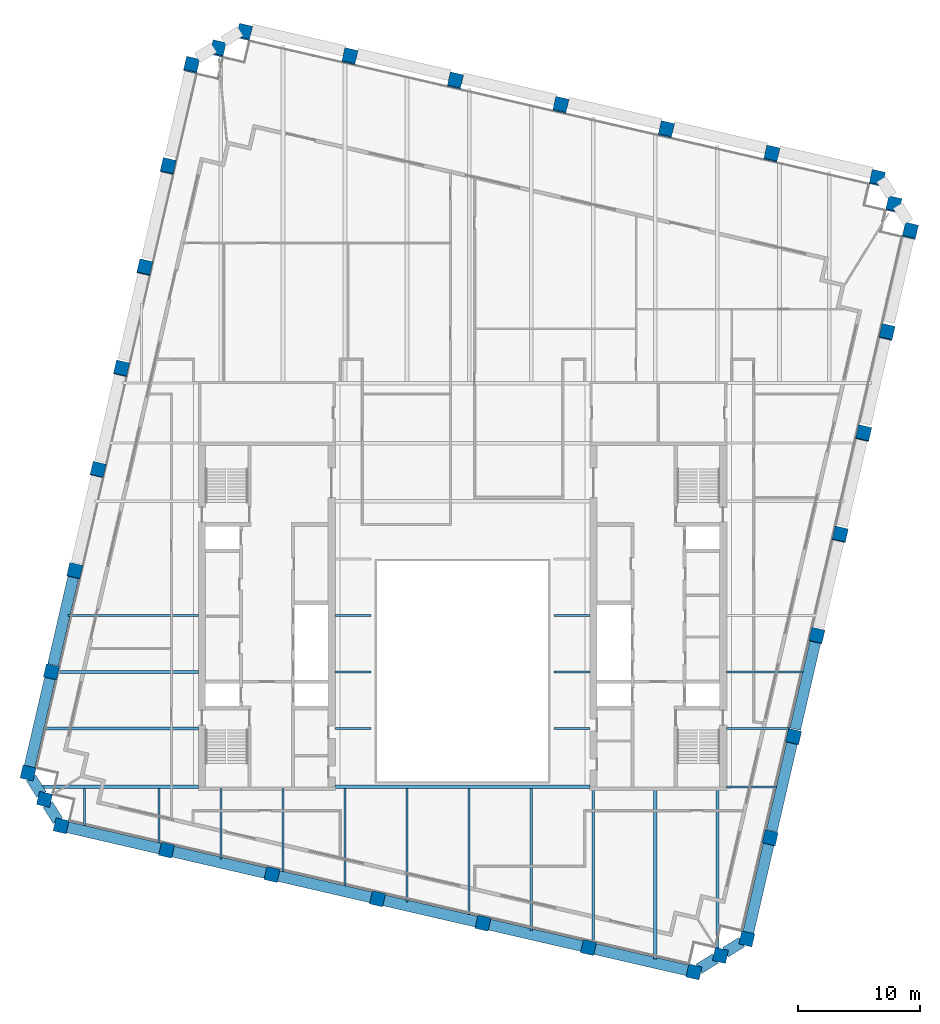
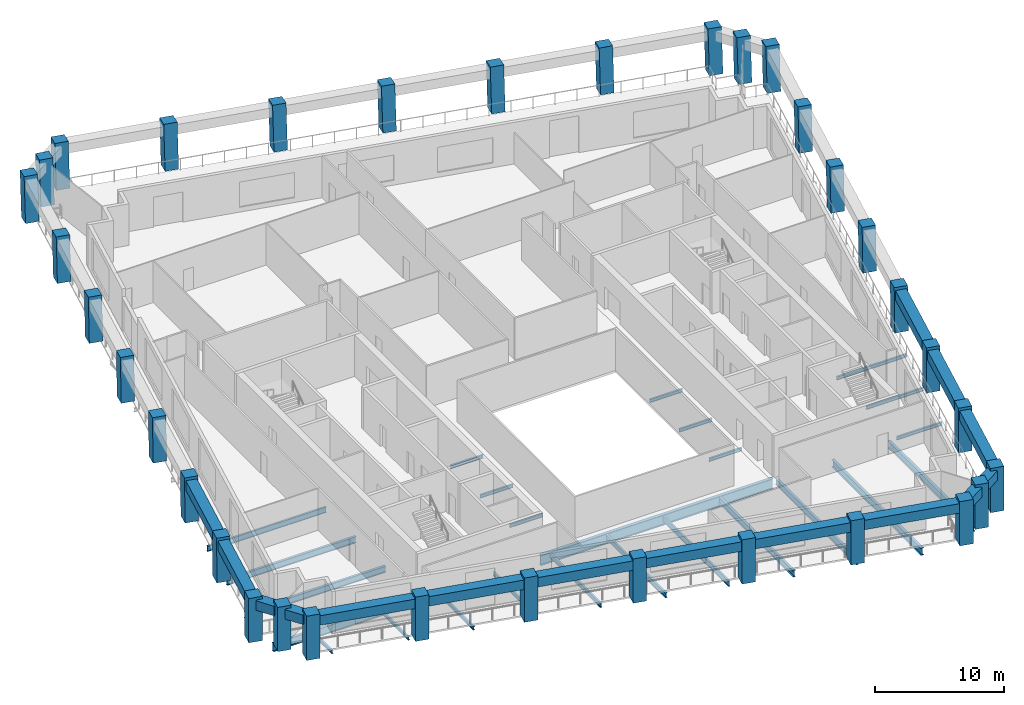
# One storey, part 1 of 10: 40 beams, 34 columns.
"""IFC4 building model written with IfcOpenShell, lengths in metres."""

from ifc_helpers import new_model, si_unit, direction, frame, origin, origin_2d, place, context, subcontext, project, spatial, rectangle, i_section, extrude, material, material_profile, profile_set, type_object, element, save


model = new_model("IFC4")

# Units and contexts
model_context = context("Model", 3, precision=1e-05, world=origin(), true_north=direction((0.0, 1.0)))
body_context = subcontext(model_context, "Body", "Model", "MODEL_VIEW")
ifc_project = project(units=[si_unit("LENGTHUNIT", "METRE"), si_unit("AREAUNIT", "SQUARE_METRE"), si_unit("VOLUMEUNIT", "CUBIC_METRE"), si_unit("PLANEANGLEUNIT", "RADIAN"), si_unit("MASSUNIT", "GRAM", prefix="KILO")], contexts=[model_context])

# Site, building, storey
site_placement = place(None, origin())
site = spatial("IfcSite", under=ifc_project, at=site_placement, CompositionType="ELEMENT")
building_placement = place(site_placement, origin())
building = spatial("IfcBuilding", under=site, at=building_placement, Name="Ogive Exchange Tower", CompositionType="ELEMENT")
storey_placement = place(building_placement, frame((0.0, 0.0, 289.199951171875)))
storey = spatial("IfcBuildingStorey", under=building, at=storey_placement, Name="L63", CompositionType="ELEMENT", Elevation=289.199951171875)

# Columns
ifc_material_1 = material(Name="Precast concrete C70/85 (limestone faced)", Category="masonry")
ifc_material_profile_1 = material_profile(ifc_material_1, rectangle(XDim=1.10009765625, YDim=1.10009765625, at=origin_2d()), Name="1100 x 1100")
ifc_profile_set_1 = profile_set([ifc_material_profile_1], Name="Precast concrete C70/85 (limestone faced)")
column_type = type_object("IfcColumnType", Name="Precast exoskeleton leg 1100 x 1100 C70/85", PredefinedType="COLUMN", material=ifc_profile_set_1)
for number, where, z_axis, x_axis, name in (
    (1, (-32.820556640625, -5.635498046875, 0.0), (0.0, 0.0, 1.0), (0.974370064785, -0.224951054344, 0.0), "Exoskeleton leg 1"),
    (2, (-24.197265625, -7.62646484375, 0.0), (0.0, 0.0, 1.0), (0.974370064785, -0.224951054344, 0.0), "Exoskeleton leg 2"),
    (3, (-15.57421875, -9.6171875, 0.0), (0.0, 0.0, 1.0), (0.974370064785, -0.224951054344, 0.0), "Exoskeleton leg 3"),
    (4, (-6.950927734375, -11.60791015625, 0.0), (0.0, 0.0, 1.0), (0.974370064785, -0.224951054344, 0.0), "Exoskeleton leg 4"),
    (5, (1.672119140625, -13.598876953125, 0.0), (0.0, 0.0, 1.0), (0.974370064785, -0.224951054344, 0.0), "Exoskeleton leg 5"),
    (6, (10.29541015625, -15.589599609375, 0.0), (0.0, 0.0, 1.0), (0.974370064785, -0.224951054344, 0.0), "Exoskeleton leg 6"),
    (7, (18.91845703125, -17.58056640625, 0.0), (0.0, 0.0, 1.0), (0.974370064785, -0.224951054344, 0.0), "Exoskeleton leg 7"),
    (8, (23.236083984375, -14.882568359375, 0.0), (0.0, 0.0, 1.0), (0.974370064785, -0.224951054344, 0.0), "Exoskeleton leg 8"),
):
    element("IfcColumn", number, at=place(storey_placement, frame(where, z_axis=z_axis, x_axis=x_axis)), inside=storey, type_object=column_type, Name=name, PredefinedType="COLUMN", context=body_context, shape_type="SweptSolid", body=[
        extrude(rectangle(XDim=1.10009765625, YDim=1.10009765625, at=origin_2d()), origin(), (0.0, 0.0, 1.0), 4.199951171875),
    ])
column_1_placement = place(storey_placement, frame((25.143310546875, -6.621826171875, 0.0), z_axis=(0.002906226325, 0.012613022249, 0.99991622925), x_axis=(-0.974466825284, 0.224531526563, 0.0)))
element("IfcColumn", 9, at=column_1_placement, inside=storey, type_object=column_type, Name="Exoskeleton leg 9", PredefinedType="COLUMN", context=body_context, shape_type="SweptSolid", body=[
    extrude(rectangle(XDim=1.10009765625, YDim=1.10009765625, at=origin_2d()), origin(), (0.0, 0.0, 1.0), 4.2001953125),
])
column_2_placement = place(storey_placement, frame((27.05029296875, 1.638671875, 0.0), z_axis=(0.005869083212, 0.025335844359, 0.999661767226), x_axis=(-0.974202561131, 0.225675363932, 0.0)))
element("IfcColumn", 10, at=column_2_placement, inside=storey, type_object=column_type, Name="Exoskeleton leg 10", PredefinedType="COLUMN", context=body_context, shape_type="SweptSolid", body=[
    extrude(rectangle(XDim=1.10009765625, YDim=1.10009765625, at=origin_2d()), origin(), (0.0, 0.0, 1.0), 4.201416015625),
])
column_3_placement = place(storey_placement, frame((28.95751953125, 9.8994140625, 0.0), z_axis=(0.008770884695, 0.037929719907, 0.99924191662), x_axis=(-0.974290512438, 0.225295355862, 0.0)))
element("IfcColumn", 11, at=column_3_placement, inside=storey, type_object=column_type, Name="Exoskeleton leg 11", PredefinedType="COLUMN", context=body_context, shape_type="SweptSolid", body=[
    extrude(rectangle(XDim=1.10009765625, YDim=1.10009765625, at=origin_2d()), origin(), (0.0, 0.0, 1.0), 4.203125),
])
column_4_placement = place(storey_placement, frame((30.864501953125, 18.159912109375, 0.0), z_axis=(0.011668267153, 0.050562490995, 0.998652735462), x_axis=(-0.974391195695, 0.224859506699, 0.0)))
element("IfcColumn", 12, at=column_4_placement, inside=storey, type_object=column_type, Name="Exoskeleton leg 12", PredefinedType="COLUMN", context=body_context, shape_type="SweptSolid", body=[
    extrude(rectangle(XDim=1.10009765625, YDim=1.10009765625, at=origin_2d()), origin(), (0.0, 0.0, 1.0), 4.20556640625),
])
column_5_placement = place(storey_placement, frame((32.771728515625, 26.420654296875, 0.0), z_axis=(0.014559841898, 0.063111984005, 0.997900239743), x_axis=(-0.97440628778, 0.224794097641, 0.0)))
element("IfcColumn", 13, at=column_5_placement, inside=storey, type_object=column_type, Name="Exoskeleton leg 13", PredefinedType="COLUMN", context=body_context, shape_type="SweptSolid", body=[
    extrude(rectangle(XDim=1.10009765625, YDim=1.10009765625, at=origin_2d()), origin(), (0.0, 0.0, 1.0), 4.208740234375),
])
column_6_placement = place(storey_placement, frame((34.6787109375, 34.68115234375, 0.0), z_axis=(0.017502025619, 0.075687567741, 0.996977969259), x_axis=(-0.974290512438, 0.225295355862, 0.0)))
element("IfcColumn", 14, at=column_6_placement, inside=storey, type_object=column_type, Name="Exoskeleton leg 14", PredefinedType="COLUMN", context=body_context, shape_type="SweptSolid", body=[
    extrude(rectangle(XDim=1.10009765625, YDim=1.10009765625, at=origin_2d()), origin(), (0.0, 0.0, 1.0), 4.212646484375),
])
for number, where, z_axis, x_axis, name in (
    (15, (36.5859375, 42.94189453125, 0.0), (0.020377493232, 0.0882252832, 0.995892091129), (-0.97434807649, 0.225046274885, 0.0), "Exoskeleton leg 15"),
    (16, (33.887939453125, 47.259521484375, 0.0), (0.020377597275, 0.088167842757, 0.995897175934), (-0.97431566651, 0.225186549318, 0.0), "Exoskeleton leg 16"),
    (17, (25.264892578125, 49.250244140625, 0.0), (0.020319626563, 0.088225387128, 0.995893264282), (-0.974488096918, 0.224439187676, 0.0), "Exoskeleton leg 17"),
    (18, (16.6416015625, 51.240966796875, 0.0), (0.020377493232, 0.0882252832, 0.995892091129), (-0.97434807649, 0.225046274885, 0.0), "Exoskeleton leg 18"),
    (19, (8.0185546875, 53.23193359375, 0.0), (0.020377493232, 0.0882252832, 0.995892091129), (-0.97434807649, 0.225046274885, 0.0), "Exoskeleton leg 19"),
    (20, (-0.604736328125, 55.22265625, 0.0), (0.020377493232, 0.0882252832, 0.995892091129), (-0.97434807649, 0.225046274885, 0.0), "Exoskeleton leg 20"),
    (21, (-9.227783203125, 57.21337890625, 0.0), (0.020319626563, 0.088225387128, 0.995893264282), (-0.974488096918, 0.224439187676, 0.0), "Exoskeleton leg 21"),
    (22, (-17.85107421875, 59.204345703125, 0.0), (0.020377493232, 0.0882252832, 0.995892091129), (-0.97434807649, 0.225046274885, 0.0), "Exoskeleton leg 22"),
    (23, (-22.168701171875, 56.50634765625, 0.0), (0.020377493232, 0.0882252832, 0.995892091129), (-0.97434807649, 0.225046274885, 0.0), "Exoskeleton leg 23"),
):
    element("IfcColumn", number, at=place(storey_placement, frame(where, z_axis=z_axis, x_axis=x_axis)), inside=storey, type_object=column_type, Name=name, PredefinedType="COLUMN", context=body_context, shape_type="SweptSolid", body=[
        extrude(rectangle(XDim=1.10009765625, YDim=1.10009765625, at=origin_2d()), origin(), (0.0, 0.0, 1.0), 4.21728515625),
    ])
column_7_placement = place(storey_placement, frame((-24.07568359375, 48.245849609375, 0.0), z_axis=(0.017444089556, 0.075687644385, 0.996978978829), x_axis=(-0.974454034257, 0.224587032398, 0.0)))
element("IfcColumn", 24, at=column_7_placement, inside=storey, type_object=column_type, Name="Exoskeleton leg 24", PredefinedType="COLUMN", context=body_context, shape_type="SweptSolid", body=[
    extrude(rectangle(XDim=1.10009765625, YDim=1.10009765625, at=origin_2d()), origin(), (0.0, 0.0, 1.0), 4.212646484375),
])
column_8_placement = place(storey_placement, frame((-25.98291015625, 39.985107421875, 0.0), z_axis=(0.014617783326, 0.063169706518, 0.99789574034), x_axis=(-0.974255315496, 0.225447511024, 0.0)))
element("IfcColumn", 25, at=column_8_placement, inside=storey, type_object=column_type, Name="Exoskeleton leg 25", PredefinedType="COLUMN", context=body_context, shape_type="SweptSolid", body=[
    extrude(rectangle(XDim=1.10009765625, YDim=1.10009765625, at=origin_2d()), origin(), (0.0, 0.0, 1.0), 4.208740234375),
])
column_9_placement = place(storey_placement, frame((-27.889892578125, 31.724609375, 0.0), z_axis=(0.011668301382, 0.050504588071, 0.998655665045), x_axis=(-0.974334539389, 0.225104876342, 0.0)))
element("IfcColumn", 26, at=column_9_placement, inside=storey, type_object=column_type, Name="Exoskeleton leg 26", PredefinedType="COLUMN", context=body_context, shape_type="SweptSolid", body=[
    extrude(rectangle(XDim=1.10009765625, YDim=1.10009765625, at=origin_2d()), origin(), (0.0, 0.0, 1.0), 4.20556640625),
])
column_10_placement = place(storey_placement, frame((-29.797119140625, 23.4638671875, 0.0), z_axis=(0.008770884695, 0.037929719907, 0.99924191662), x_axis=(-0.974290512438, 0.225295355862, 0.0)))
element("IfcColumn", 27, at=column_10_placement, inside=storey, type_object=column_type, Name="Exoskeleton leg 27", PredefinedType="COLUMN", context=body_context, shape_type="SweptSolid", body=[
    extrude(rectangle(XDim=1.10009765625, YDim=1.10009765625, at=origin_2d()), origin(), (0.0, 0.0, 1.0), 4.203125),
])
column_11_placement = place(storey_placement, frame((-31.7041015625, 15.203125, 0.0), z_axis=(0.005810975449, 0.025335852957, 0.999662106474), x_axis=(-0.974691740237, 0.22355315143, 0.0)))
element("IfcColumn", 28, at=column_11_placement, inside=storey, type_object=column_type, Name="Exoskeleton leg 28", PredefinedType="COLUMN", context=body_context, shape_type="SweptSolid", body=[
    extrude(rectangle(XDim=1.10009765625, YDim=1.10009765625, at=origin_2d()), origin(), (0.0, 0.0, 1.0), 4.201416015625),
])
column_12_placement = place(storey_placement, frame((-33.611328125, 6.942626953125, 0.0), z_axis=(0.002906224189, 0.012671137464, 0.999915494498), x_axis=(-0.974691740237, 0.22355315143, 0.0)))
element("IfcColumn", 29, at=column_12_placement, inside=storey, type_object=column_type, Name="Exoskeleton leg 29", PredefinedType="COLUMN", context=body_context, shape_type="SweptSolid", body=[
    extrude(rectangle(XDim=1.10009765625, YDim=1.10009765625, at=origin_2d()), origin(), (0.0, 0.0, 1.0), 4.2001953125),
])
for number, where, z_axis, x_axis, name in (
    (30, (-35.518310546875, -1.318115234375, 0.0), (0.0, 0.0, 1.0), (0.974370064785, -0.224951054344, 0.0), "Exoskeleton leg 30"),
    (31, (21.077392578125, -16.2314453125, 0.0), (0.0, 0.0, 1.0), (0.974370064785, -0.224951054344, 0.0), "Exoskeleton leg 31"),
):
    element("IfcColumn", number, at=place(storey_placement, frame(where, z_axis=z_axis, x_axis=x_axis)), inside=storey, type_object=column_type, Name=name, PredefinedType="COLUMN", context=body_context, shape_type="SweptSolid", body=[
        extrude(rectangle(XDim=1.10009765625, YDim=1.10009765625, at=origin_2d()), origin(), (0.0, 0.0, 1.0), 4.199951171875),
    ])
for number, where, z_axis, x_axis, name in (
    (32, (35.237060546875, 45.1005859375, 0.0), (0.020377493232, 0.0882252832, 0.995892091129), (-0.97434807649, 0.225046274885, 0.0), "Exoskeleton leg 32"),
    (33, (-20.009765625, 57.85546875, 0.0), (0.020377597275, 0.088167842757, 0.995897175934), (-0.97431566651, 0.225186549318, 0.0), "Exoskeleton leg 33"),
):
    element("IfcColumn", number, at=place(storey_placement, frame(where, z_axis=z_axis, x_axis=x_axis)), inside=storey, type_object=column_type, Name=name, PredefinedType="COLUMN", context=body_context, shape_type="SweptSolid", body=[
        extrude(rectangle(XDim=1.10009765625, YDim=1.10009765625, at=origin_2d()), origin(), (0.0, 0.0, 1.0), 4.21728515625),
    ])
column_13_placement = place(storey_placement, frame((-34.16943359375, -3.476806640625, 0.0), z_axis=(0.0, 0.0, 1.0), x_axis=(0.974370064785, -0.224951054344, 0.0)))
element("IfcColumn", 34, at=column_13_placement, inside=storey, type_object=column_type, Name="Exoskeleton leg 34", PredefinedType="COLUMN", context=body_context, shape_type="SweptSolid", body=[
    extrude(rectangle(XDim=1.10009765625, YDim=1.10009765625, at=origin_2d()), origin(), (0.0, 0.0, 1.0), 4.199951171875),
])

# Beams
ifc_material_2 = material(Name="Steel ASTM A992 Gr50", Category="steel")
ifc_material_profile_2 = material_profile(ifc_material_2, i_section(OverallWidth=0.1650390625, OverallDepth=0.31005859375, WebThickness=0.005859375, FlangeThickness=0.009765625, at=origin_2d()), Name="W310x38.7")
ifc_profile_set_2 = profile_set([ifc_material_profile_2], Name="Steel ASTM A992 Gr50")
beam_type_1 = type_object("IfcBeamType", Name="Floor beam W310x38.7", PredefinedType="JOIST", material=ifc_profile_set_2)
for number, where, z_axis, x_axis, name in (
    (35, (-10.419921875, 2.3212890625, -0.35498046875), (1.0, 0.0, 0.0), (0.0, 1.0, 0.0), "Floor beam"),
    (36, (7.469970703125, 2.3212890625, -0.35498046875), (1.0, 0.0, 0.0), (0.0, 1.0, 0.0), "Floor beam"),
):
    element("IfcBeam", number, at=place(storey_placement, frame(where, z_axis=z_axis, x_axis=x_axis)), inside=storey, type_object=beam_type_1, Name=name, PredefinedType="JOIST", context=body_context, shape_type="SweptSolid", body=[
        extrude(i_section(OverallWidth=0.1650390625, OverallDepth=0.31005859375, WebThickness=0.005859375, FlangeThickness=0.009765625, at=origin_2d()), origin(), (0.0, 0.0, 1.0), 2.949951171875),
    ])
beam_1_placement = place(storey_placement, frame((21.580078125, 2.3212890625, -0.35498046875), z_axis=(1.0, 0.0, 0.0), x_axis=(0.0, 1.0, 0.0)))
element("IfcBeam", 37, at=beam_1_placement, inside=storey, type_object=beam_type_1, Name="Floor beam", PredefinedType="JOIST", context=body_context, shape_type="SweptSolid", body=[
    extrude(i_section(OverallWidth=0.1650390625, OverallDepth=0.31005859375, WebThickness=0.005859375, FlangeThickness=0.009765625, at=origin_2d()), origin(), (0.0, 0.0, 1.0), 5.166015625),
])
for number, where, z_axis, x_axis, name in (
    (38, (-10.419921875, 6.9326171875, -0.35498046875), (1.0, 0.0, 0.0), (0.0, 1.0, 0.0), "Floor beam"),
    (39, (7.469970703125, 6.9326171875, -0.35498046875), (1.0, 0.0, 0.0), (0.0, 1.0, 0.0), "Floor beam"),
):
    element("IfcBeam", number, at=place(storey_placement, frame(where, z_axis=z_axis, x_axis=x_axis)), inside=storey, type_object=beam_type_1, Name=name, PredefinedType="JOIST", context=body_context, shape_type="SweptSolid", body=[
        extrude(i_section(OverallWidth=0.1650390625, OverallDepth=0.31005859375, WebThickness=0.005859375, FlangeThickness=0.009765625, at=origin_2d()), origin(), (0.0, 0.0, 1.0), 2.949951171875),
    ])
beam_2_placement = place(storey_placement, frame((21.580078125, 6.9326171875, -0.35498046875), z_axis=(1.0, 0.0, 0.0), x_axis=(0.0, 1.0, 0.0)))
element("IfcBeam", 40, at=beam_2_placement, inside=storey, type_object=beam_type_1, Name="Floor beam", PredefinedType="JOIST", context=body_context, shape_type="SweptSolid", body=[
    extrude(i_section(OverallWidth=0.1650390625, OverallDepth=0.31005859375, WebThickness=0.005859375, FlangeThickness=0.009765625, at=origin_2d()), origin(), (0.0, 0.0, 1.0), 6.230712890625),
])
for number, where, z_axis, x_axis, name in (
    (41, (-10.419921875, 11.543701171875, -0.35498046875), (1.0, 0.0, 0.0), (0.0, 1.0, 0.0), "Floor beam"),
    (42, (7.469970703125, 11.543701171875, -0.35498046875), (1.0, 0.0, 0.0), (0.0, 1.0, 0.0), "Floor beam"),
):
    element("IfcBeam", number, at=place(storey_placement, frame(where, z_axis=z_axis, x_axis=x_axis)), inside=storey, type_object=beam_type_1, Name=name, PredefinedType="JOIST", context=body_context, shape_type="SweptSolid", body=[
        extrude(i_section(OverallWidth=0.1650390625, OverallDepth=0.31005859375, WebThickness=0.005859375, FlangeThickness=0.009765625, at=origin_2d()), origin(), (0.0, 0.0, 1.0), 2.949951171875),
    ])
beam_3_placement = place(storey_placement, frame((-30.905517578125, -5.615966796875, -0.35498046875), z_axis=(0.0, 1.0, 0.0), x_axis=(-1.0, 0.0, 0.0)))
element("IfcBeam", 43, at=beam_3_placement, inside=storey, type_object=beam_type_1, Name="Floor beam", PredefinedType="JOIST", context=body_context, shape_type="SweptSolid", body=[
    extrude(i_section(OverallWidth=0.1650390625, OverallDepth=0.31005859375, WebThickness=0.005859375, FlangeThickness=0.009765625, at=origin_2d()), origin(), (0.0, 0.0, 1.0), 3.037353515625),
])
beam_4_placement = place(storey_placement, frame((-24.832275390625, -7.01806640625, -0.35498046875), z_axis=(0.0, 1.0, 0.0), x_axis=(-1.0, 0.0, 0.0)))
element("IfcBeam", 44, at=beam_4_placement, inside=storey, type_object=beam_type_1, Name="Floor beam", PredefinedType="JOIST", context=body_context, shape_type="SweptSolid", body=[
    extrude(i_section(OverallWidth=0.1650390625, OverallDepth=0.31005859375, WebThickness=0.005859375, FlangeThickness=0.009765625, at=origin_2d()), origin(), (0.0, 0.0, 1.0), 4.439453125),
])
beam_5_placement = place(storey_placement, frame((-19.759033203125, -8.339111328125, -0.35498046875), z_axis=(0.0, 1.0, 0.0), x_axis=(-1.0, 0.0, 0.0)))
element("IfcBeam", 45, at=beam_5_placement, inside=storey, type_object=beam_type_1, Name="Floor beam", PredefinedType="JOIST", context=body_context, shape_type="SweptSolid", body=[
    extrude(i_section(OverallWidth=0.1650390625, OverallDepth=0.31005859375, WebThickness=0.005859375, FlangeThickness=0.009765625, at=origin_2d()), origin(), (0.0, 0.0, 1.0), 5.739013671875),
])
ifc_material_profile_3 = material_profile(ifc_material_2, i_section(OverallWidth=0.1708984375, OverallDepth=0.35595703125, WebThickness=0.00732421875, FlangeThickness=0.01171875, at=origin_2d()), Name="W360x51")
ifc_profile_set_3 = profile_set([ifc_material_profile_3], Name="Steel ASTM A992 Gr50")
beam_type_2 = type_object("IfcBeamType", Name="Floor beam W360x51", PredefinedType="JOIST", material=ifc_profile_set_3)
beam_6_placement = place(storey_placement, frame((-14.685791015625, -9.360595703125, -0.3779296875), z_axis=(0.0, 1.0, 0.0), x_axis=(-1.0, 0.0, 0.0)))
element("IfcBeam", 46, at=beam_6_placement, inside=storey, type_object=beam_type_2, Name="Floor beam", PredefinedType="JOIST", context=body_context, shape_type="SweptSolid", body=[
    extrude(i_section(OverallWidth=0.1708984375, OverallDepth=0.35595703125, WebThickness=0.00732421875, FlangeThickness=0.01171875, at=origin_2d()), origin(), (0.0, 0.0, 1.0), 6.760498046875),
])
ifc_material_profile_4 = material_profile(ifc_material_2, i_section(OverallWidth=0.177978515625, OverallDepth=0.406005859375, WebThickness=0.0078125, FlangeThickness=0.0126953125, at=origin_2d()), Name="W410x60")
ifc_profile_set_4 = profile_set([ifc_material_profile_4], Name="Steel ASTM A992 Gr50")
beam_type_3 = type_object("IfcBeamType", Name="Floor beam W410x60", PredefinedType="JOIST", material=ifc_profile_set_4)
beam_7_placement = place(storey_placement, frame((-9.61279296875, -10.53173828125, -0.40283203125), z_axis=(0.0, 1.0, 0.0), x_axis=(-1.0, 0.0, 0.0)))
element("IfcBeam", 47, at=beam_7_placement, inside=storey, type_object=beam_type_3, Name="Floor beam", PredefinedType="JOIST", context=body_context, shape_type="SweptSolid", body=[
    extrude(i_section(OverallWidth=0.177978515625, OverallDepth=0.406005859375, WebThickness=0.0078125, FlangeThickness=0.0126953125, at=origin_2d()), origin(), (0.0, 0.0, 1.0), 7.936767578125),
])
ifc_material_profile_5 = material_profile(ifc_material_2, i_section(OverallWidth=0.19091796875, OverallDepth=0.45703125, WebThickness=0.009033203125, FlangeThickness=0.014404296875, at=origin_2d()), Name="W460x74")
ifc_profile_set_5 = profile_set([ifc_material_profile_5], Name="Steel ASTM A992 Gr50")
beam_type_4 = type_object("IfcBeamType", Name="Floor beam W460x74", PredefinedType="JOIST", material=ifc_profile_set_5)
beam_8_placement = place(storey_placement, frame((-4.53955078125, -11.852783203125, -0.428466796875), z_axis=(0.0, 1.0, 0.0), x_axis=(-1.0, 0.0, 0.0)))
element("IfcBeam", 48, at=beam_8_placement, inside=storey, type_object=beam_type_4, Name="Floor beam", PredefinedType="JOIST", context=body_context, shape_type="SweptSolid", body=[
    extrude(i_section(OverallWidth=0.19091796875, OverallDepth=0.45703125, WebThickness=0.009033203125, FlangeThickness=0.014404296875, at=origin_2d()), origin(), (0.0, 0.0, 1.0), 9.2578125),
])
ifc_material_profile_6 = material_profile(ifc_material_2, i_section(OverallWidth=0.1669921875, OverallDepth=0.535888671875, WebThickness=0.01025390625, FlangeThickness=0.0166015625, at=origin_2d()), Name="W530x85")
ifc_profile_set_6 = profile_set([ifc_material_profile_6], Name="Steel ASTM A992 Gr50")
beam_type_5 = type_object("IfcBeamType", Name="Floor beam W530x85", PredefinedType="JOIST", material=ifc_profile_set_6)
beam_9_placement = place(storey_placement, frame((-32.2373046875, 11.543701171875, -0.468017578125), z_axis=(1.0, 0.0, 0.0), x_axis=(0.0, 1.0, 0.0)))
element("IfcBeam", 49, at=beam_9_placement, inside=storey, type_object=beam_type_5, Name="Floor beam", PredefinedType="JOIST", context=body_context, shape_type="SweptSolid", body=[
    extrude(i_section(OverallWidth=0.1669921875, OverallDepth=0.535888671875, WebThickness=0.01025390625, FlangeThickness=0.0166015625, at=origin_2d()), origin(), (0.0, 0.0, 1.0), 10.6572265625),
])
beam_10_placement = place(storey_placement, frame((0.53369140625, -12.874267578125, -0.468017578125), z_axis=(0.0, 1.0, 0.0), x_axis=(-1.0, 0.0, 0.0)))
element("IfcBeam", 50, at=beam_10_placement, inside=storey, type_object=beam_type_5, Name="Floor beam", PredefinedType="JOIST", context=body_context, shape_type="SweptSolid", body=[
    extrude(i_section(OverallWidth=0.1669921875, OverallDepth=0.535888671875, WebThickness=0.01025390625, FlangeThickness=0.0166015625, at=origin_2d()), origin(), (0.0, 0.0, 1.0), 10.279296875),
])
ifc_material_profile_7 = material_profile(ifc_material_2, i_section(OverallWidth=0.22802734375, OverallDepth=0.60205078125, WebThickness=0.010498046875, FlangeThickness=0.014892578125, at=origin_2d()), Name="W610x101")
ifc_profile_set_7 = profile_set([ifc_material_profile_7], Name="Steel ASTM A992 Gr50")
beam_type_6 = type_object("IfcBeamType", Name="Floor beam W610x101", PredefinedType="JOIST", material=ifc_profile_set_7)
beam_11_placement = place(storey_placement, frame((-34.21630859375, 2.3212890625, -0.5009765625), z_axis=(1.0, 0.0, 0.0), x_axis=(0.0, 1.0, 0.0)))
element("IfcBeam", 51, at=beam_11_placement, inside=storey, type_object=beam_type_6, Name="Floor beam", PredefinedType="JOIST", context=body_context, shape_type="SweptSolid", body=[
    extrude(i_section(OverallWidth=0.22802734375, OverallDepth=0.60205078125, WebThickness=0.010498046875, FlangeThickness=0.014892578125, at=origin_2d()), origin(), (0.0, 0.0, 1.0), 12.63623046875),
])
beam_12_placement = place(storey_placement, frame((-33.15185546875, 6.9326171875, -0.5009765625), z_axis=(1.0, 0.0, 0.0), x_axis=(0.0, 1.0, 0.0)))
element("IfcBeam", 52, at=beam_12_placement, inside=storey, type_object=beam_type_6, Name="Floor beam", PredefinedType="JOIST", context=body_context, shape_type="SweptSolid", body=[
    extrude(i_section(OverallWidth=0.22802734375, OverallDepth=0.60205078125, WebThickness=0.010498046875, FlangeThickness=0.014892578125, at=origin_2d()), origin(), (0.0, 0.0, 1.0), 11.57177734375),
])
beam_13_placement = place(storey_placement, frame((5.60693359375, -14.1953125, -0.5009765625), z_axis=(0.0, 1.0, 0.0), x_axis=(-1.0, 0.0, 0.0)))
element("IfcBeam", 53, at=beam_13_placement, inside=storey, type_object=beam_type_6, Name="Floor beam", PredefinedType="JOIST", context=body_context, shape_type="SweptSolid", body=[
    extrude(i_section(OverallWidth=0.22802734375, OverallDepth=0.60205078125, WebThickness=0.010498046875, FlangeThickness=0.014892578125, at=origin_2d()), origin(), (0.0, 0.0, 1.0), 11.600341796875),
])
beam_14_placement = place(storey_placement, frame((10.68017578125, -15.216796875, -0.5009765625), z_axis=(0.0, 1.0, 0.0), x_axis=(-1.0, 0.0, 0.0)))
element("IfcBeam", 54, at=beam_14_placement, inside=storey, type_object=beam_type_6, Name="Floor beam", PredefinedType="JOIST", context=body_context, shape_type="SweptSolid", body=[
    extrude(i_section(OverallWidth=0.22802734375, OverallDepth=0.60205078125, WebThickness=0.010498046875, FlangeThickness=0.014892578125, at=origin_2d()), origin(), (0.0, 0.0, 1.0), 12.61669921875),
])
ifc_material_profile_8 = material_profile(ifc_material_2, i_section(OverallWidth=0.25390625, OverallDepth=0.677978515625, WebThickness=0.01171875, FlangeThickness=0.016357421875, at=origin_2d()), Name="W690x125")
ifc_profile_set_8 = profile_set([ifc_material_profile_8], Name="Steel ASTM A992 Gr50")
beam_type_7 = type_object("IfcBeamType", Name="Floor beam W690x125", PredefinedType="JOIST", material=ifc_profile_set_8)
beam_15_placement = place(storey_placement, frame((15.75341796875, -16.537841796875, -0.5390625), z_axis=(0.0, 1.0, 0.0), x_axis=(-1.0, 0.0, 0.0)))
element("IfcBeam", 55, at=beam_15_placement, inside=storey, type_object=beam_type_7, Name="Floor beam", PredefinedType="JOIST", context=body_context, shape_type="SweptSolid", body=[
    extrude(i_section(OverallWidth=0.25390625, OverallDepth=0.677978515625, WebThickness=0.01171875, FlangeThickness=0.016357421875, at=origin_2d()), origin(), (0.0, 0.0, 1.0), 13.937744140625),
])
beam_16_placement = place(storey_placement, frame((20.82666015625, -15.75927734375, -0.5390625), z_axis=(0.0, 1.0, 0.0), x_axis=(-1.0, 0.0, 0.0)))
element("IfcBeam", 56, at=beam_16_placement, inside=storey, type_object=beam_type_7, Name="Floor beam", PredefinedType="JOIST", context=body_context, shape_type="SweptSolid", body=[
    extrude(i_section(OverallWidth=0.25390625, OverallDepth=0.677978515625, WebThickness=0.01171875, FlangeThickness=0.016357421875, at=origin_2d()), origin(), (0.0, 0.0, 1.0), 13.1591796875),
])
ifc_material_profile_9 = material_profile(ifc_material_2, i_section(OverallWidth=0.300048828125, OverallDepth=0.97998046875, WebThickness=0.0166015625, FlangeThickness=0.026123046875, at=origin_2d()), Name="W1000x249")
ifc_profile_set_9 = profile_set([ifc_material_profile_9], Name="Steel ASTM A992 Gr50")
beam_type_8 = type_object("IfcBeamType", Name="Girder W1000x249", PredefinedType="BEAM", material=ifc_profile_set_9)
beam_17_placement = place(storey_placement, frame((-10.419921875, -2.445068359375, -0.68994140625), z_axis=(1.0, 0.0, 0.0), x_axis=(0.0, 1.0, 0.0)))
element("IfcBeam", 57, at=beam_17_placement, inside=storey, type_object=beam_type_8, Name="Header girder", PredefinedType="BEAM", context=body_context, shape_type="SweptSolid", body=[
    extrude(i_section(OverallWidth=0.300048828125, OverallDepth=0.97998046875, WebThickness=0.0166015625, FlangeThickness=0.026123046875, at=origin_2d()), origin(), (0.0, 0.0, 1.0), 20.83984375),
])
ifc_material_profile_10 = material_profile(ifc_material_2, i_section(OverallWidth=0.1650390625, OverallDepth=0.31005859375, WebThickness=0.005859375, FlangeThickness=0.009765625, at=origin_2d()), Name="W310x38.7")
ifc_profile_set_10 = profile_set([ifc_material_profile_10], Name="Steel ASTM A992 Gr50")
beam_type_9 = type_object("IfcBeamType", Name="Girder W310x38.7", PredefinedType="BEAM", material=ifc_profile_set_10)
beam_18_placement = place(storey_placement, frame((21.580078125, -2.445068359375, -0.35498046875), z_axis=(1.0, 0.0, 0.0), x_axis=(0.0, 1.0, 0.0)))
element("IfcBeam", 58, at=beam_18_placement, inside=storey, type_object=beam_type_9, Name="Header girder", PredefinedType="BEAM", context=body_context, shape_type="SweptSolid", body=[
    extrude(i_section(OverallWidth=0.1650390625, OverallDepth=0.31005859375, WebThickness=0.005859375, FlangeThickness=0.009765625, at=origin_2d()), origin(), (0.0, 0.0, 1.0), 4.065673828125),
])
ifc_material_profile_11 = material_profile(ifc_material_2, i_section(OverallWidth=0.26708984375, OverallDepth=0.75390625, WebThickness=0.01318359375, FlangeThickness=0.01708984375, at=origin_2d()), Name="W760x147")
ifc_profile_set_11 = profile_set([ifc_material_profile_11], Name="Steel ASTM A992 Gr50")
beam_type_10 = type_object("IfcBeamType", Name="Girder W760x147", PredefinedType="BEAM", material=ifc_profile_set_11)
beam_19_placement = place(storey_placement, frame((-34.43359375, -2.445068359375, -0.576904296875), z_axis=(1.0, 0.0, 0.0), x_axis=(0.0, 1.0, 0.0)))
element("IfcBeam", 59, at=beam_19_placement, inside=storey, type_object=beam_type_10, Name="Header girder", PredefinedType="BEAM", context=body_context, shape_type="SweptSolid", body=[
    extrude(i_section(OverallWidth=0.26708984375, OverallDepth=0.75390625, WebThickness=0.01318359375, FlangeThickness=0.01708984375, at=origin_2d()), origin(), (0.0, 0.0, 1.0), 12.853515625),
])
ifc_material_profile_12 = material_profile(ifc_material_1, rectangle(XDim=0.89990234375, YDim=0.89990234375, at=origin_2d()), Name="900 x 900")
ifc_profile_set_12 = profile_set([ifc_material_profile_12], Name="Precast concrete C70/85 (limestone faced)")
beam_type_11 = type_object("IfcBeamType", Name="Precast spandrel 900 x 900 C70/85", PredefinedType="SPANDREL", material=ifc_profile_set_12)
for number, where, z_axis, x_axis, name in (
    (60, (-32.30419921875, -5.7548828125, 3.5), (0.974374818602, -0.224930462307, 0.0), (0.224930462307, 0.974374818602, 0.0), "Spandrel 1"),
    (61, (-23.680908203125, -7.74560546875, 3.5), (0.974367949416, -0.224960216819, 0.0), (0.224960216819, 0.974367949416, 0.0), "Spandrel 2"),
    (62, (-15.0576171875, -9.736328125, 3.5), (0.974367949416, -0.224960216819, 0.0), (0.224960216819, 0.974367949416, 0.0), "Spandrel 3"),
    (63, (-6.4345703125, -11.727294921875, 3.5), (0.974374818602, -0.224930462307, 0.0), (0.224930462307, 0.974374818602, 0.0), "Spandrel 4"),
):
    element("IfcBeam", number, at=place(storey_placement, frame(where, z_axis=z_axis, x_axis=x_axis)), inside=storey, type_object=beam_type_11, Name=name, PredefinedType="SPANDREL", context=body_context, shape_type="SweptSolid", body=[
        extrude(rectangle(XDim=0.89990234375, YDim=0.89990234375, at=origin_2d()), origin(), (0.0, 0.0, 1.0), 7.7900390625),
    ])
beam_20_placement = place(storey_placement, frame((2.188720703125, -13.718017578125, 3.5), z_axis=(0.974366363305, -0.224967086616, 0.0), x_axis=(0.224967086616, 0.974366363305, 0.0)))
element("IfcBeam", 64, at=beam_20_placement, inside=storey, type_object=beam_type_11, Name="Spandrel 5", PredefinedType="SPANDREL", context=body_context, shape_type="SweptSolid", body=[
    extrude(rectangle(XDim=0.89990234375, YDim=0.89990234375, at=origin_2d()), origin(), (0.0, 0.0, 1.0), 7.789794921875),
])
beam_21_placement = place(storey_placement, frame((10.811767578125, -15.708984375, 3.5), z_axis=(0.974374818602, -0.224930462307, 0.0), x_axis=(0.224930462307, 0.974374818602, 0.0)))
element("IfcBeam", 65, at=beam_21_placement, inside=storey, type_object=beam_type_11, Name="Spandrel 6", PredefinedType="SPANDREL", context=body_context, shape_type="SweptSolid", body=[
    extrude(rectangle(XDim=0.89990234375, YDim=0.89990234375, at=origin_2d()), origin(), (0.0, 0.0, 1.0), 7.7900390625),
])
for number, where, z_axis, x_axis, name in (
    (66, (19.32373046875, -17.327392578125, 3.5), (0.84798967817, 0.53001274109, 0.0), (-0.53001274109, 0.84798967817, 0.0), "Spandrel 7"),
    (67, (21.482421875, -15.978271484375, 3.5), (0.848058683477, 0.529902320601, 0.0), (-0.529902320601, 0.848058683477, 0.0), "Spandrel 8"),
):
    element("IfcBeam", number, at=place(storey_placement, frame(where, z_axis=z_axis, x_axis=x_axis)), inside=storey, type_object=beam_type_11, Name=name, PredefinedType="SPANDREL", context=body_context, shape_type="SweptSolid", body=[
        extrude(rectangle(XDim=0.89990234375, YDim=0.89990234375, at=origin_2d()), origin(), (0.0, 0.0, 1.0), 1.590087890625),
    ])
beam_22_placement = place(storey_placement, frame((23.355224609375, -14.3662109375, 3.5), z_axis=(0.224976425246, 0.974364207103, 0.0), x_axis=(-0.974364207103, 0.224976425246, 0.0)))
element("IfcBeam", 68, at=beam_22_placement, inside=storey, type_object=beam_type_11, Name="Spandrel 9", PredefinedType="SPANDREL", context=body_context, shape_type="SweptSolid", body=[
    extrude(rectangle(XDim=0.89990234375, YDim=0.89990234375, at=origin_2d()), origin(), (0.0, 0.0, 1.0), 7.47265625),
])
beam_23_placement = place(storey_placement, frame((25.274658203125, -6.052490234375, 3.5), z_axis=(0.224945406986, 0.974371368563, 0.0), x_axis=(-0.974371368563, 0.224945406986, 0.0)))
element("IfcBeam", 69, at=beam_23_placement, inside=storey, type_object=beam_type_11, Name="Spandrel 10", PredefinedType="SPANDREL", context=body_context, shape_type="SweptSolid", body=[
    extrude(rectangle(XDim=0.89990234375, YDim=0.89990234375, at=origin_2d()), origin(), (0.0, 0.0, 1.0), 7.472412109375),
])
beam_24_placement = place(storey_placement, frame((27.194091796875, 2.261474609375, 3.5), z_axis=(0.224952568227, 0.974369715276, 0.0), x_axis=(-0.974369715276, 0.224952568227, 0.0)))
element("IfcBeam", 70, at=beam_24_placement, inside=storey, type_object=beam_type_11, Name="Spandrel 11", PredefinedType="SPANDREL", context=body_context, shape_type="SweptSolid", body=[
    extrude(rectangle(XDim=0.89990234375, YDim=0.89990234375, at=origin_2d()), origin(), (0.0, 0.0, 1.0), 7.47216796875),
])
beam_25_placement = place(storey_placement, frame((-31.798828125, 14.793212890625, 3.5), z_axis=(-0.224945406986, -0.974371368563, 0.0), x_axis=(0.974371368563, -0.224945406986, 0.0)))
element("IfcBeam", 71, at=beam_25_placement, inside=storey, type_object=beam_type_11, Name="Spandrel 31", PredefinedType="SPANDREL", context=body_context, shape_type="SweptSolid", body=[
    extrude(rectangle(XDim=0.89990234375, YDim=0.89990234375, at=origin_2d()), origin(), (0.0, 0.0, 1.0), 7.472412109375),
])
beam_26_placement = place(storey_placement, frame((-33.71826171875, 6.479248046875, 3.5), z_axis=(-0.224952568227, -0.974369715276, 0.0), x_axis=(0.974369715276, -0.224952568227, 0.0)))
element("IfcBeam", 72, at=beam_26_placement, inside=storey, type_object=beam_type_11, Name="Spandrel 32", PredefinedType="SPANDREL", context=body_context, shape_type="SweptSolid", body=[
    extrude(rectangle(XDim=0.89990234375, YDim=0.89990234375, at=origin_2d()), origin(), (0.0, 0.0, 1.0), 7.47216796875),
])
for number, where, z_axis, x_axis, name in (
    (73, (-35.26513671875, -1.72314453125, 3.5), (0.529902320601, -0.848058683477, 0.0), (0.848058683477, 0.529902320601, 0.0), "Spandrel 33"),
    (74, (-33.916259765625, -3.882080078125, 3.5), (0.529902320601, -0.848058683477, 0.0), (0.848058683477, 0.529902320601, 0.0), "Spandrel 34"),
):
    element("IfcBeam", number, at=place(storey_placement, frame(where, z_axis=z_axis, x_axis=x_axis)), inside=storey, type_object=beam_type_11, Name=name, PredefinedType="SPANDREL", context=body_context, shape_type="SweptSolid", body=[
        extrude(rectangle(XDim=0.89990234375, YDim=0.89990234375, at=origin_2d()), origin(), (0.0, 0.0, 1.0), 1.590087890625),
    ])

save(model, "model.ifc")
